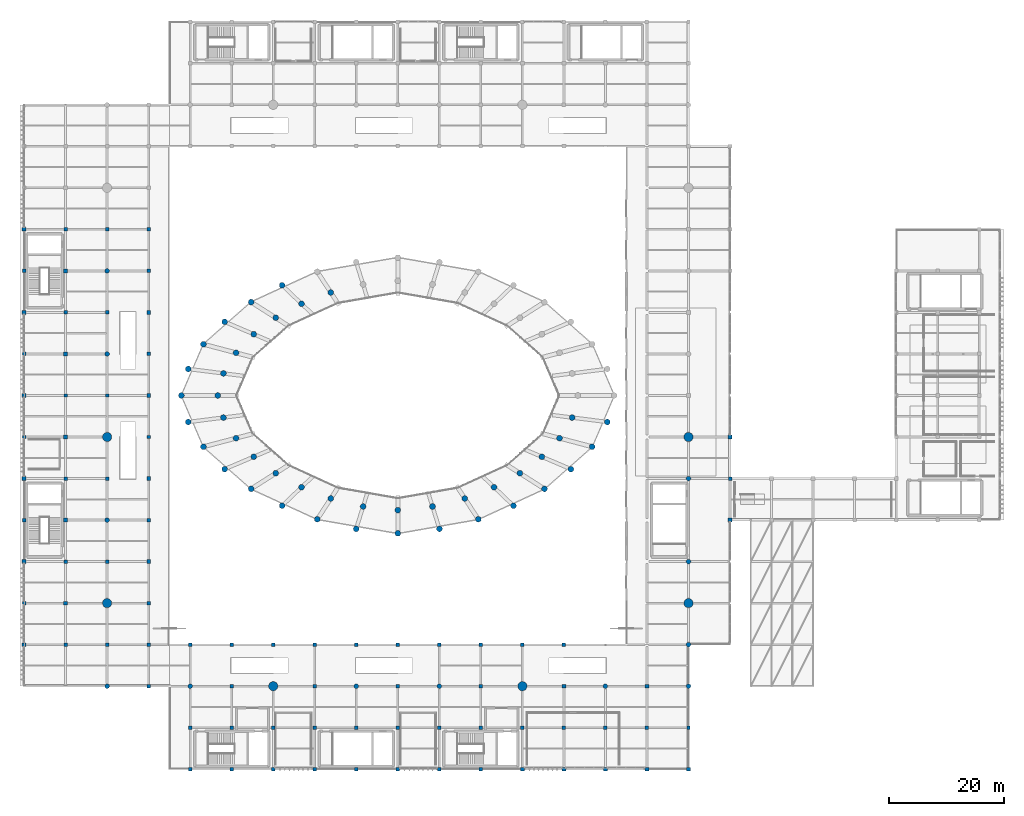
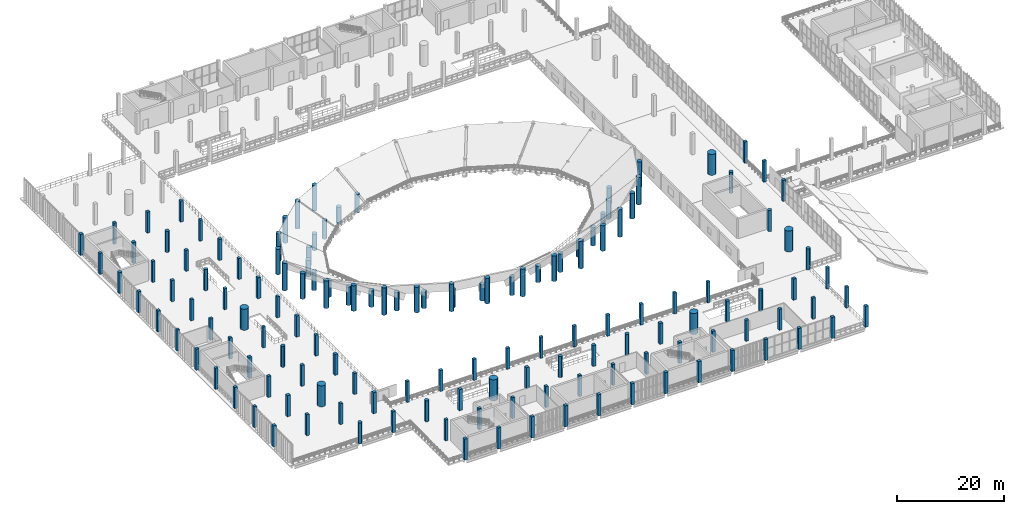
# One storey, part 1 of 105: 146 columns.
"""IFC4 building model written with IfcOpenShell, lengths in metres."""

import ifcopenshell
import ifcopenshell.guid

model = None  # the IFC model being written
_history = None  # IfcOwnerHistory: only IFC2X3 demands one
_inside = {}  # id of a spatial element -> (the spatial element, [elements in it])
_under = {}  # id of a project, library or spatial element -> (it, [spatial elements below it])
_declared = {}  # id of a project -> (the project, [libraries it declares])
_typed = {}  # id of a type object -> (the type object, [elements of that type])
_made_of = {}  # id of a material, layer set ... -> (it, [elements and type objects made of it])


def new_model(schema):
    """Start an empty IFC model of exactly this schema.

    Asked for "IFC4X3", IfcOpenShell would pick the latest addendum, in which some entities
    have other attributes; the version numbers below select the first issue.
    IFC2X3 requires an IfcOwnerHistory on every rooted entity: one is made here for all.
    """
    global model, _history
    if schema == "IFC4X3":
        model = ifcopenshell.file(schema_version=(4, 3, 0, 0))
    else:
        model = ifcopenshell.file(schema=schema)
    _inside.clear()
    _under.clear()
    _declared.clear()
    _typed.clear()
    _made_of.clear()
    _history = None
    if model.schema == "IFC2X3":
        org = make("IfcOrganization", Name="unknown")
        user = make(
            "IfcPersonAndOrganization",
            ThePerson=make("IfcPerson", FamilyName="unknown"),
            TheOrganization=org,
        )
        app = make(
            "IfcApplication",
            ApplicationDeveloper=org,
            Version="unknown",
            ApplicationFullName="unknown",
            ApplicationIdentifier="unknown",
        )
        _history = make(
            "IfcOwnerHistory",
            OwningUser=user,
            OwningApplication=app,
            ChangeAction="ADDED",
            CreationDate=0,
        )
    return model


def make(cls, **values):
    """One entity of the class cls with the attributes given. An attribute that is None is left unset."""
    return model.create_entity(
        cls, **{name: value for name, value in values.items() if value is not None}
    )


def rooted(cls, **values):
    """An entity with a GlobalId (a new one), such as an element, a storey or a relation."""
    return make(cls, GlobalId=ifcopenshell.guid.new(), OwnerHistory=_history, **values)


def si_unit(unit_type, name, prefix=None):
    """IfcSIUnit, for example si_unit("LENGTHUNIT", "METRE", prefix="MILLI")."""
    return make("IfcSIUnit", UnitType=unit_type, Prefix=prefix, Name=name)


def assignment(units):
    """IfcUnitAssignment: the units of a project."""
    return None if units is None else make("IfcUnitAssignment", Units=units)


def point(xyz):
    """IfcCartesianPoint."""
    return None if xyz is None else make("IfcCartesianPoint", Coordinates=xyz)


def direction(xyz):
    """IfcDirection."""
    return None if xyz is None else make("IfcDirection", DirectionRatios=xyz)


def frame(location, z_axis=None, x_axis=None):
    """IfcAxis2Placement3D, a coordinate frame: its origin and axes. An axis left out is left unset."""
    return make(
        "IfcAxis2Placement3D",
        Location=point(location),
        Axis=direction(z_axis),
        RefDirection=direction(x_axis),
    )


def frame_2d(location, x_axis=None):
    """IfcAxis2Placement2D, a coordinate frame in the plane: its origin and x axis."""
    return make(
        "IfcAxis2Placement2D", Location=point(location), RefDirection=direction(x_axis)
    )


def origin():
    """The frame at (0, 0, 0) with its axes left unset."""
    return frame((0.0, 0.0, 0.0))


def origin_2d():
    """The frame at (0, 0) in the plane with its x axis left unset."""
    return frame_2d((0.0, 0.0))


def place(relative_to, where):
    """IfcLocalPlacement: puts the frame where relative to a parent placement (None: the world)."""
    return make(
        "IfcLocalPlacement", PlacementRelTo=relative_to, RelativePlacement=where
    )


def context(
    kind, dimensions, precision=None, world=None, true_north=None, identifier=None
):
    """IfcGeometricRepresentationContext, for example the 3D "Model" context."""
    return make(
        "IfcGeometricRepresentationContext",
        ContextIdentifier=identifier,
        ContextType=kind,
        CoordinateSpaceDimension=dimensions,
        Precision=precision,
        WorldCoordinateSystem=world,
        TrueNorth=true_north,
    )


def subcontext(parent, identifier, kind, view, scale=None):
    """IfcGeometricRepresentationSubContext, for example "Body" below "Model"."""
    return make(
        "IfcGeometricRepresentationSubContext",
        ContextIdentifier=identifier,
        ContextType=kind,
        ParentContext=parent,
        TargetScale=scale,
        TargetView=view,
    )


def project(units=None, contexts=None):
    """IfcProject with its units and contexts."""
    return rooted(
        "IfcProject",
        Name="project",
        RepresentationContexts=contexts,
        UnitsInContext=assignment(units),
    )


def spatial(cls, under=None, at=None, **own):
    """A site, building, storey or space (cls), placed at a placement, below another one or the project."""
    s = rooted(cls, ObjectPlacement=at, **own)
    if under is not None:
        _under.setdefault(under.id(), (under, []))[1].append(s)
    return s


def profile(cls, at=None, kind="AREA", **sizes):
    """A parametric profile (cls). Its sizes go by their IFC names, for example OverallWidth=200.0."""
    return make(cls, ProfileType=kind, Position=at, **sizes)


def rectangle(**sizes):
    """IfcRectangleProfileDef."""
    return profile("IfcRectangleProfileDef", **sizes)


def circle(**sizes):
    """IfcCircleProfileDef."""
    return profile("IfcCircleProfileDef", **sizes)


def extrude(swept, where, along, depth):
    """IfcExtrudedAreaSolid: the profile swept, set in the frame where, extruded along a direction by depth."""
    return make(
        "IfcExtrudedAreaSolid",
        SweptArea=swept,
        Position=where,
        ExtrudedDirection=direction(along),
        Depth=depth,
    )


def shape(context_of_items, identifier, shape_type, items):
    """IfcShapeRepresentation: the items that make up one representation, for example the "Body"."""
    return make(
        "IfcShapeRepresentation",
        ContextOfItems=context_of_items,
        RepresentationIdentifier=identifier,
        RepresentationType=shape_type,
        Items=items,
    )


def material(Name=None, Category=None):
    """IfcMaterial."""
    return make("IfcMaterial", Name=Name, Category=Category)


def material_profile(
    of_material, cross_section, Name=None, Category=None, Priority=None
):
    """IfcMaterialProfile: a cross section and its material."""
    return make(
        "IfcMaterialProfile",
        Name=Name,
        Material=of_material,
        Profile=cross_section,
        Priority=Priority,
        Category=Category,
    )


def profile_set(profiles, Name=None, composite=None):
    """IfcMaterialProfileSet."""
    return make(
        "IfcMaterialProfileSet",
        Name=Name,
        MaterialProfiles=profiles,
        CompositeProfile=composite,
    )


def made_of(thing, what):
    """Note that an element or type object is made of a material, layer set ...; save() writes the relation."""
    if what is not None:
        _made_of.setdefault(what.id(), (what, []))[1].append(thing)
    return thing


def type_object(cls, material=None, **own):
    """A type object (cls), such as IfcWallType, which elements share."""
    return made_of(rooted(cls, **own), material)


def element(
    cls,
    number,
    at=None,
    inside=None,
    cuts=None,
    type_object=None,
    material=None,
    context=None,
    identifier="Body",
    shape_type=None,
    held_by="IfcProductDefinitionShape",
    body=None,
    shapes=None,
    **own,
):
    """One element of the class cls, such as IfcWall. Its Tag is "e" and its number.

    at: its placement. inside: the storey or other place that contains it. cuts: it is an
    opening in that element (IfcRelVoidsElement). A single representation is given by context,
    identifier, shape_type and body (its items); several are given by shapes. held_by: the class
    of the entity that holds the representations. save() writes the other relations.
    """
    e = rooted(cls, Tag="e%d" % number, ObjectPlacement=at, **own)
    if body is not None:
        shapes = [shape(context, identifier, shape_type, body)]
    if shapes is not None:
        e.Representation = make(held_by, Representations=shapes)
    if inside is not None:
        _inside.setdefault(inside.id(), (inside, []))[1].append(e)
    if cuts is not None:
        rooted(
            "IfcRelVoidsElement", RelatingBuildingElement=cuts, RelatedOpeningElement=e
        )
    if type_object is not None:
        _typed.setdefault(type_object.id(), (type_object, []))[1].append(e)
    return made_of(e, material)


def aggregate(whole, parts):
    """IfcRelAggregates: a whole, such as a stair, and the parts it consists of."""
    return rooted("IfcRelAggregates", RelatingObject=whole, RelatedObjects=parts)


def save(model, path):
    """Write the relations noted so far, then the file.

    IfcRelAggregates (storeys below a building ...), IfcRelContainedInSpatialStructure (elements
    in a storey), IfcRelDefinesByType, IfcRelAssociatesMaterial and IfcRelDeclares: one each for
    every whole, place, type object, material and project.
    """
    for whole, parts in _under.values():
        aggregate(whole, parts)
    for where, things in _inside.values():
        rooted(
            "IfcRelContainedInSpatialStructure",
            RelatedElements=things,
            RelatingStructure=where,
        )
    for kind, things in _typed.values():
        rooted("IfcRelDefinesByType", RelatedObjects=things, RelatingType=kind)
    for what, things in _made_of.values():
        rooted("IfcRelAssociatesMaterial", RelatedObjects=things, RelatingMaterial=what)
    for by, libraries in _declared.values():
        rooted("IfcRelDeclares", RelatingContext=by, RelatedDefinitions=libraries)
    model.write(path)


model = new_model("IFC4")

# Units and contexts
model_context = context("Model", 3, precision=1e-05, world=origin(), true_north=direction((0.0, 1.0)))
body_context = subcontext(model_context, "Body", "Model", "MODEL_VIEW")
ifc_project = project(units=[si_unit("LENGTHUNIT", "METRE"), si_unit("AREAUNIT", "SQUARE_METRE"), si_unit("VOLUMEUNIT", "CUBIC_METRE"), si_unit("PLANEANGLEUNIT", "RADIAN"), si_unit("MASSUNIT", "GRAM", prefix="KILO")], contexts=[model_context])

# Site, building, storey
site_placement = place(None, origin())
site = spatial("IfcSite", under=ifc_project, at=site_placement, CompositionType="ELEMENT")
building_placement = place(site_placement, origin())
building = spatial("IfcBuilding", under=site, at=building_placement, Name="Qandorah Velis Arena", CompositionType="ELEMENT")
storey_placement = place(building_placement, frame((0.0, 0.0, 13.800048828125)))
storey = spatial("IfcBuildingStorey", under=building, at=storey_placement, Name="L03", CompositionType="ELEMENT", Elevation=13.800048828125)

# Columns
ifc_material_1 = material(Name="Concrete C50/60", Category="concrete")
ifc_material_profile_1 = material_profile(ifc_material_1, circle(Radius=0.800048828125, at=origin_2d()), Name="MC D1600")
ifc_profile_set_1 = profile_set([ifc_material_profile_1], Name="Concrete C50/60")
column_type_1 = type_object("IfcColumnType", Name="STR-COL-MC1600", PredefinedType="COLUMN", material=ifc_profile_set_1)
for number, where, z_axis, x_axis, name in (
    (1, (14.39990234375, 28.800048828125, 0.0), (0.0, 0.0, 1.0), (1.0, 0.0, 0.0), "Mega column MC1 (L03)"),
    (2, (14.39990234375, 57.60009765625, 0.0), (0.0, 0.0, 1.0), (1.0, 0.0, 0.0), "Mega column MC2 (L03)"),
    (3, (43.199951171875, 14.39990234375, 0.0), (0.0, 0.0, 1.0), (1.0, 0.0, 0.0), "Mega column MC4 (L03)"),
    (4, (86.39990234375, 14.39990234375, 0.0), (0.0, 0.0, 1.0), (1.0, 0.0, 0.0), "Mega column MC5 (L03)"),
    (5, (115.199951171875, 28.800048828125, 0.0), (0.0, 0.0, 1.0), (1.0, 0.0, 0.0), "Mega column MC8 (L03)"),
    (6, (115.199951171875, 57.60009765625, 0.0), (0.0, 0.0, 1.0), (1.0, 0.0, 0.0), "Mega column MC9 (L03)"),
):
    element("IfcColumn", number, at=place(storey_placement, frame(where, z_axis=z_axis, x_axis=x_axis)), inside=storey, type_object=column_type_1, Name=name, PredefinedType="COLUMN", context=body_context, shape_type="SweptSolid", body=[
        extrude(circle(Radius=0.800048828125, at=origin_2d()), origin(), (0.0, 0.0, 1.0), 4.800048828125),
    ])
ifc_material_2 = material(Name="Concrete C40/50", Category="concrete")
ifc_material_profile_2 = material_profile(ifc_material_2, rectangle(XDim=0.60009765625, YDim=0.60009765625, at=origin_2d()), Name="RC COL 600x600")
ifc_profile_set_2 = profile_set([ifc_material_profile_2], Name="Concrete C40/50")
column_type_2 = type_object("IfcColumnType", Name="STR-COL-RC600", PredefinedType="COLUMN", material=ifc_profile_set_2)
for number, where, z_axis, x_axis, name in (
    (7, (0.0, 28.800048828125, 0.0), (0.0, 0.0, 1.0), (1.0, 0.0, 0.0), "Structural column L03-001"),
    (8, (0.0, 43.199951171875, 0.0), (0.0, 0.0, 1.0), (1.0, 0.0, 0.0), "Structural column L03-003"),
    (9, (0.0, 57.60009765625, 0.0), (0.0, 0.0, 1.0), (1.0, 0.0, 0.0), "Structural column L03-005"),
    (10, (0.0, 72.0, 0.0), (0.0, 0.0, 1.0), (1.0, 0.0, 0.0), "Structural column L03-007"),
    (11, (0.0, 86.39990234375, 0.0), (0.0, 0.0, 1.0), (1.0, 0.0, 0.0), "Structural column L03-009"),
    (12, (7.199951171875, 21.60009765625, 0.0), (0.0, 0.0, 1.0), (1.0, 0.0, 0.0), "Structural column L03-013"),
    (13, (7.199951171875, 36.0, 0.0), (0.0, 0.0, 1.0), (1.0, 0.0, 0.0), "Structural column L03-015"),
    (14, (7.199951171875, 50.39990234375, 0.0), (0.0, 0.0, 1.0), (1.0, 0.0, 0.0), "Structural column L03-017"),
    (15, (7.199951171875, 64.800048828125, 0.0), (0.0, 0.0, 1.0), (1.0, 0.0, 0.0), "Structural column L03-019"),
    (16, (7.199951171875, 79.199951171875, 0.0), (0.0, 0.0, 1.0), (1.0, 0.0, 0.0), "Structural column L03-021"),
    (17, (7.199951171875, 93.60009765625, 0.0), (0.0, 0.0, 1.0), (1.0, 0.0, 0.0), "Structural column L03-023"),
    (18, (14.39990234375, 21.60009765625, 0.0), (0.0, 0.0, 1.0), (1.0, 0.0, 0.0), "Structural column L03-027"),
    (19, (14.39990234375, 36.0, 0.0), (0.0, 0.0, 1.0), (1.0, 0.0, 0.0), "Structural column L03-029"),
    (20, (14.39990234375, 50.39990234375, 0.0), (0.0, 0.0, 1.0), (1.0, 0.0, 0.0), "Structural column L03-031"),
    (21, (14.39990234375, 64.800048828125, 0.0), (0.0, 0.0, 1.0), (1.0, 0.0, 0.0), "Structural column L03-033"),
    (22, (14.39990234375, 79.199951171875, 0.0), (0.0, 0.0, 1.0), (1.0, 0.0, 0.0), "Structural column L03-035"),
    (23, (14.39990234375, 93.60009765625, 0.0), (0.0, 0.0, 1.0), (1.0, 0.0, 0.0), "Structural column L03-037"),
    (24, (21.60009765625, 14.39990234375, 0.0), (0.0, 0.0, 1.0), (1.0, 0.0, 0.0), "Structural column L03-041"),
    (25, (21.60009765625, 28.800048828125, 0.0), (0.0, 0.0, 1.0), (1.0, 0.0, 0.0), "Structural column L03-043"),
    (26, (21.60009765625, 43.199951171875, 0.0), (0.0, 0.0, 1.0), (1.0, 0.0, 0.0), "Structural column L03-045"),
    (27, (21.60009765625, 57.60009765625, 0.0), (0.0, 0.0, 1.0), (1.0, 0.0, 0.0), "Structural column L03-047"),
    (28, (21.60009765625, 72.0, 0.0), (0.0, 0.0, 1.0), (1.0, 0.0, 0.0), "Structural column L03-049"),
    (29, (21.60009765625, 86.39990234375, 0.0), (0.0, 0.0, 1.0), (1.0, 0.0, 0.0), "Structural column L03-051"),
    (30, (28.800048828125, 7.199951171875, 0.0), (0.0, 0.0, 1.0), (1.0, 0.0, 0.0), "Structural column L03-057"),
    (31, (28.800048828125, 21.60009765625, 0.0), (0.0, 0.0, 1.0), (1.0, 0.0, 0.0), "Structural column L03-059"),
    (32, (36.0, 7.199951171875, 0.0), (0.0, 0.0, 1.0), (1.0, 0.0, 0.0), "Structural column L03-065"),
    (33, (36.0, 21.60009765625, 0.0), (0.0, 0.0, 1.0), (1.0, 0.0, 0.0), "Structural column L03-067"),
    (34, (43.199951171875, 7.199951171875, 0.0), (0.0, 0.0, 1.0), (1.0, 0.0, 0.0), "Structural column L03-073"),
    (35, (43.199951171875, 21.60009765625, 0.0), (0.0, 0.0, 1.0), (1.0, 0.0, 0.0), "Structural column L03-075"),
    (36, (50.39990234375, 7.199951171875, 0.0), (0.0, 0.0, 1.0), (1.0, 0.0, 0.0), "Structural column L03-081"),
    (37, (50.39990234375, 21.60009765625, 0.0), (0.0, 0.0, 1.0), (1.0, 0.0, 0.0), "Structural column L03-083"),
    (38, (57.60009765625, 7.199951171875, 0.0), (0.0, 0.0, 1.0), (1.0, 0.0, 0.0), "Structural column L03-089"),
    (39, (57.60009765625, 21.60009765625, 0.0), (0.0, 0.0, 1.0), (1.0, 0.0, 0.0), "Structural column L03-091"),
    (40, (64.800048828125, 7.199951171875, 0.0), (0.0, 0.0, 1.0), (1.0, 0.0, 0.0), "Structural column L03-097"),
    (41, (64.800048828125, 21.60009765625, 0.0), (0.0, 0.0, 1.0), (1.0, 0.0, 0.0), "Structural column L03-099"),
    (42, (72.0, 7.199951171875, 0.0), (0.0, 0.0, 1.0), (1.0, 0.0, 0.0), "Structural column L03-105"),
    (43, (72.0, 21.60009765625, 0.0), (0.0, 0.0, 1.0), (1.0, 0.0, 0.0), "Structural column L03-107"),
    (44, (79.199951171875, 7.199951171875, 0.0), (0.0, 0.0, 1.0), (1.0, 0.0, 0.0), "Structural column L03-113"),
    (45, (79.199951171875, 21.60009765625, 0.0), (0.0, 0.0, 1.0), (1.0, 0.0, 0.0), "Structural column L03-115"),
    (46, (86.39990234375, 7.199951171875, 0.0), (0.0, 0.0, 1.0), (1.0, 0.0, 0.0), "Structural column L03-121"),
    (47, (86.39990234375, 21.60009765625, 0.0), (0.0, 0.0, 1.0), (1.0, 0.0, 0.0), "Structural column L03-123"),
    (48, (93.60009765625, 7.199951171875, 0.0), (0.0, 0.0, 1.0), (1.0, 0.0, 0.0), "Structural column L03-129"),
    (49, (93.60009765625, 21.60009765625, 0.0), (0.0, 0.0, 1.0), (1.0, 0.0, 0.0), "Structural column L03-131"),
    (50, (100.800048828125, 7.199951171875, 0.0), (0.0, 0.0, 1.0), (1.0, 0.0, 0.0), "Structural column L03-137"),
    (51, (108.0, 7.199951171875, 0.0), (0.0, 0.0, 1.0), (1.0, 0.0, 0.0), "Structural column L03-143"),
    (52, (115.199951171875, 7.199951171875, 0.0), (0.0, 0.0, 1.0), (1.0, 0.0, 0.0), "Structural column L03-149"),
    (53, (122.39990234375, 50.39990234375, 0.0), (0.0, 0.0, 1.0), (1.0, 0.0, 0.0), "Structural column L03-167"),
):
    element("IfcColumn", number, at=place(storey_placement, frame(where, z_axis=z_axis, x_axis=x_axis)), inside=storey, type_object=column_type_2, Name=name, PredefinedType="COLUMN", context=body_context, shape_type="SweptSolid", body=[
        extrude(rectangle(XDim=0.60009765625, YDim=0.60009765625, at=origin_2d()), origin(), (0.0, 0.0, 1.0), 4.800048828125),
    ])
ifc_material_profile_3 = material_profile(ifc_material_2, rectangle(XDim=0.64990234375, YDim=0.64990234375, at=origin_2d()), Name="RC COL 650x650")
ifc_profile_set_3 = profile_set([ifc_material_profile_3], Name="Concrete C40/50")
column_type_3 = type_object("IfcColumnType", Name="STR-COL-RC650", PredefinedType="COLUMN", material=ifc_profile_set_3)
for number, where, z_axis, x_axis, name in (
    (54, (0.0, 21.60009765625, 0.0), (0.0, 0.0, 1.0), (1.0, 0.0, 0.0), "Structural column L03-000"),
    (55, (0.0, 36.0, 0.0), (0.0, 0.0, 1.0), (1.0, 0.0, 0.0), "Structural column L03-002"),
    (56, (0.0, 50.39990234375, 0.0), (0.0, 0.0, 1.0), (1.0, 0.0, 0.0), "Structural column L03-004"),
    (57, (0.0, 64.800048828125, 0.0), (0.0, 0.0, 1.0), (1.0, 0.0, 0.0), "Structural column L03-006"),
    (58, (0.0, 79.199951171875, 0.0), (0.0, 0.0, 1.0), (1.0, 0.0, 0.0), "Structural column L03-008"),
    (59, (0.0, 93.60009765625, 0.0), (0.0, 0.0, 1.0), (1.0, 0.0, 0.0), "Structural column L03-010"),
    (60, (7.199951171875, 28.800048828125, 0.0), (0.0, 0.0, 1.0), (1.0, 0.0, 0.0), "Structural column L03-014"),
    (61, (7.199951171875, 43.199951171875, 0.0), (0.0, 0.0, 1.0), (1.0, 0.0, 0.0), "Structural column L03-016"),
    (62, (7.199951171875, 57.60009765625, 0.0), (0.0, 0.0, 1.0), (1.0, 0.0, 0.0), "Structural column L03-018"),
    (63, (7.199951171875, 72.0, 0.0), (0.0, 0.0, 1.0), (1.0, 0.0, 0.0), "Structural column L03-020"),
    (64, (7.199951171875, 86.39990234375, 0.0), (0.0, 0.0, 1.0), (1.0, 0.0, 0.0), "Structural column L03-022"),
    (65, (21.60009765625, 21.60009765625, 0.0), (0.0, 0.0, 1.0), (1.0, 0.0, 0.0), "Structural column L03-042"),
    (66, (21.60009765625, 36.0, 0.0), (0.0, 0.0, 1.0), (1.0, 0.0, 0.0), "Structural column L03-044"),
    (67, (21.60009765625, 50.39990234375, 0.0), (0.0, 0.0, 1.0), (1.0, 0.0, 0.0), "Structural column L03-046"),
    (68, (21.60009765625, 64.800048828125, 0.0), (0.0, 0.0, 1.0), (1.0, 0.0, 0.0), "Structural column L03-048"),
    (69, (21.60009765625, 79.199951171875, 0.0), (0.0, 0.0, 1.0), (1.0, 0.0, 0.0), "Structural column L03-050"),
    (70, (21.60009765625, 93.60009765625, 0.0), (0.0, 0.0, 1.0), (1.0, 0.0, 0.0), "Structural column L03-052"),
    (71, (28.800048828125, 0.0, 0.0), (0.0, 0.0, 1.0), (1.0, 0.0, 0.0), "Structural column L03-056"),
    (72, (36.0, 0.0, 0.0), (0.0, 0.0, 1.0), (1.0, 0.0, 0.0), "Structural column L03-064"),
    (73, (36.0, 14.39990234375, 0.0), (0.0, 0.0, 1.0), (1.0, 0.0, 0.0), "Structural column L03-066"),
    (74, (43.199951171875, 0.0, 0.0), (0.0, 0.0, 1.0), (1.0, 0.0, 0.0), "Structural column L03-072"),
    (75, (50.39990234375, 0.0, 0.0), (0.0, 0.0, 1.0), (1.0, 0.0, 0.0), "Structural column L03-080"),
    (76, (50.39990234375, 14.39990234375, 0.0), (0.0, 0.0, 1.0), (1.0, 0.0, 0.0), "Structural column L03-082"),
    (77, (57.60009765625, 0.0, 0.0), (0.0, 0.0, 1.0), (1.0, 0.0, 0.0), "Structural column L03-088"),
    (78, (64.800048828125, 0.0, 0.0), (0.0, 0.0, 1.0), (1.0, 0.0, 0.0), "Structural column L03-096"),
    (79, (64.800048828125, 14.39990234375, 0.0), (0.0, 0.0, 1.0), (1.0, 0.0, 0.0), "Structural column L03-098"),
    (80, (72.0, 0.0, 0.0), (0.0, 0.0, 1.0), (1.0, 0.0, 0.0), "Structural column L03-104"),
    (81, (79.199951171875, 0.0, 0.0), (0.0, 0.0, 1.0), (1.0, 0.0, 0.0), "Structural column L03-112"),
    (82, (79.199951171875, 14.39990234375, 0.0), (0.0, 0.0, 1.0), (1.0, 0.0, 0.0), "Structural column L03-114"),
    (83, (86.39990234375, 0.0, 0.0), (0.0, 0.0, 1.0), (1.0, 0.0, 0.0), "Structural column L03-120"),
    (84, (93.60009765625, 0.0, 0.0), (0.0, 0.0, 1.0), (1.0, 0.0, 0.0), "Structural column L03-128"),
    (85, (93.60009765625, 14.39990234375, 0.0), (0.0, 0.0, 1.0), (1.0, 0.0, 0.0), "Structural column L03-130"),
    (86, (100.800048828125, 0.0, 0.0), (0.0, 0.0, 1.0), (1.0, 0.0, 0.0), "Structural column L03-136"),
    (87, (108.0, 0.0, 0.0), (0.0, 0.0, 1.0), (1.0, 0.0, 0.0), "Structural column L03-142"),
    (88, (108.0, 14.39990234375, 0.0), (0.0, 0.0, 1.0), (1.0, 0.0, 0.0), "Structural column L03-144"),
    (89, (115.199951171875, 0.0, 0.0), (0.0, 0.0, 1.0), (1.0, 0.0, 0.0), "Structural column L03-148"),
    (90, (122.39990234375, 43.199951171875, 0.0), (0.0, 0.0, 1.0), (1.0, 0.0, 0.0), "Structural column L03-166"),
    (91, (122.39990234375, 57.60009765625, 0.0), (0.0, 0.0, 1.0), (1.0, 0.0, 0.0), "Structural column L03-168"),
):
    element("IfcColumn", number, at=place(storey_placement, frame(where, z_axis=z_axis, x_axis=x_axis)), inside=storey, type_object=column_type_3, Name=name, PredefinedType="COLUMN", context=body_context, shape_type="SweptSolid", body=[
        extrude(rectangle(XDim=0.64990234375, YDim=0.64990234375, at=origin_2d()), origin(), (0.0, 0.0, 1.0), 4.800048828125),
    ])
ifc_material_profile_4 = material_profile(ifc_material_2, circle(Radius=0.5, at=origin_2d()), Name="RC D1000")
ifc_profile_set_4 = profile_set([ifc_material_profile_4], Name="Concrete C40/50")
column_type_4 = type_object("IfcColumnType", Name="STR-COL-RCD1000", PredefinedType="COLUMN", material=ifc_profile_set_4)
column_1_placement = place(storey_placement, frame((53.185546875, 82.654541015625, -2.255126953125), z_axis=(0.0, 0.0, 1.0), x_axis=(1.0, 0.0, 0.0)))
element("IfcColumn", 92, at=column_1_placement, inside=storey, type_object=column_type_4, Name="Upper raker fulcrum column L03 6.1", PredefinedType="COLUMN", context=body_context, shape_type="SweptSolid", body=[
    extrude(circle(Radius=0.5, at=origin_2d()), origin(), (0.0, 0.0, 1.0), 4.189697265625),
])
column_2_placement = place(storey_placement, frame((48.114013671875, 80.701171875, -1.804931640625), z_axis=(0.0, 0.0, 1.0), x_axis=(1.0, 0.0, 0.0)))
element("IfcColumn", 93, at=column_2_placement, inside=storey, type_object=column_type_4, Name="Upper raker fulcrum column L03 6.2", PredefinedType="COLUMN", context=body_context, shape_type="SweptSolid", body=[
    extrude(circle(Radius=0.5, at=origin_2d()), origin(), (0.0, 0.0, 1.0), 3.739501953125),
])
column_3_placement = place(storey_placement, frame((44.746826171875, 83.909912109375, 0.359619140625), z_axis=(0.0, 0.0, 1.0), x_axis=(1.0, 0.0, 0.0)))
element("IfcColumn", 94, at=column_3_placement, inside=storey, type_object=column_type_4, Name="Outer bowl raker column L03 6.2", PredefinedType="COLUMN", context=body_context, shape_type="SweptSolid", body=[
    extrude(circle(Radius=0.5, at=origin_2d()), origin(), (0.0, 0.0, 1.0), 5.810302734375),
])
column_4_placement = place(storey_placement, frame((43.64013671875, 78.2734375, -2.255126953125), z_axis=(0.0, 0.0, 1.0), x_axis=(1.0, 0.0, 0.0)))
element("IfcColumn", 95, at=column_4_placement, inside=storey, type_object=column_type_4, Name="Upper raker fulcrum column L03 7.1", PredefinedType="COLUMN", context=body_context, shape_type="SweptSolid", body=[
    extrude(circle(Radius=0.5, at=origin_2d()), origin(), (0.0, 0.0, 1.0), 4.189697265625),
])
column_5_placement = place(storey_placement, frame((39.370361328125, 80.992431640625, -0.09033203125), z_axis=(0.0, 0.0, 1.0), x_axis=(1.0, 0.0, 0.0)))
element("IfcColumn", 96, at=column_5_placement, inside=storey, type_object=column_type_4, Name="Outer bowl raker column L03 7.1", PredefinedType="COLUMN", context=body_context, shape_type="SweptSolid", body=[
    extrude(circle(Radius=0.5, at=origin_2d()), origin(), (0.0, 0.0, 1.0), 6.26025390625),
])
column_6_placement = place(storey_placement, frame((39.82763671875, 75.4248046875, -1.804931640625), z_axis=(0.0, 0.0, 1.0), x_axis=(1.0, 0.0, 0.0)))
element("IfcColumn", 97, at=column_6_placement, inside=storey, type_object=column_type_4, Name="Upper raker fulcrum column L03 7.2", PredefinedType="COLUMN", context=body_context, shape_type="SweptSolid", body=[
    extrude(circle(Radius=0.5, at=origin_2d()), origin(), (0.0, 0.0, 1.0), 3.739501953125),
])
column_7_placement = place(storey_placement, frame((34.788330078125, 77.56884765625, 0.359619140625), z_axis=(0.0, 0.0, 1.0), x_axis=(1.0, 0.0, 0.0)))
element("IfcColumn", 98, at=column_7_placement, inside=storey, type_object=column_type_4, Name="Outer bowl raker column L03 7.2", PredefinedType="COLUMN", context=body_context, shape_type="SweptSolid", body=[
    extrude(circle(Radius=0.5, at=origin_2d()), origin(), (0.0, 0.0, 1.0), 5.810302734375),
])
column_8_placement = place(storey_placement, frame((36.760009765625, 72.195556640625, -2.255126953125), z_axis=(0.0, 0.0, 1.0), x_axis=(1.0, 0.0, 0.0)))
element("IfcColumn", 99, at=column_8_placement, inside=storey, type_object=column_type_4, Name="Upper raker fulcrum column L03 8.1", PredefinedType="COLUMN", context=body_context, shape_type="SweptSolid", body=[
    extrude(circle(Radius=0.5, at=origin_2d()), origin(), (0.0, 0.0, 1.0), 4.189697265625),
])
column_9_placement = place(storey_placement, frame((31.101806640625, 73.68798828125, -0.09033203125), z_axis=(0.0, 0.0, 1.0), x_axis=(1.0, 0.0, 0.0)))
element("IfcColumn", 100, at=column_9_placement, inside=storey, type_object=column_type_4, Name="Outer bowl raker column L03 8.1", PredefinedType="COLUMN", context=body_context, shape_type="SweptSolid", body=[
    extrude(circle(Radius=0.5, at=origin_2d()), origin(), (0.0, 0.0, 1.0), 6.26025390625),
])
column_10_placement = place(storey_placement, frame((34.573974609375, 68.62841796875, -1.804931640625), z_axis=(0.0, 0.0, 1.0), x_axis=(1.0, 0.0, 0.0)))
element("IfcColumn", 101, at=column_10_placement, inside=storey, type_object=column_type_4, Name="Upper raker fulcrum column L03 8.2", PredefinedType="COLUMN", context=body_context, shape_type="SweptSolid", body=[
    extrude(circle(Radius=0.5, at=origin_2d()), origin(), (0.0, 0.0, 1.0), 3.739501953125),
])
column_11_placement = place(storey_placement, frame((28.474609375, 69.40087890625, 0.359619140625), z_axis=(0.0, 0.0, 1.0), x_axis=(1.0, 0.0, 0.0)))
element("IfcColumn", 102, at=column_11_placement, inside=storey, type_object=column_type_4, Name="Outer bowl raker column L03 8.2", PredefinedType="COLUMN", context=body_context, shape_type="SweptSolid", body=[
    extrude(circle(Radius=0.5, at=origin_2d()), origin(), (0.0, 0.0, 1.0), 5.810302734375),
])
column_12_placement = place(storey_placement, frame((33.580078125, 64.800048828125, -2.255126953125), z_axis=(0.0, 0.0, 1.0), x_axis=(1.0, 0.0, 0.0)))
element("IfcColumn", 103, at=column_12_placement, inside=storey, type_object=column_type_4, Name="Upper raker fulcrum column L03 9.1", PredefinedType="COLUMN", context=body_context, shape_type="SweptSolid", body=[
    extrude(circle(Radius=0.5, at=origin_2d()), origin(), (0.0, 0.0, 1.0), 4.189697265625),
])
column_13_placement = place(storey_placement, frame((27.280029296875, 64.800048828125, -0.09033203125), z_axis=(0.0, 0.0, 1.0), x_axis=(1.0, 0.0, 0.0)))
element("IfcColumn", 104, at=column_13_placement, inside=storey, type_object=column_type_4, Name="Outer bowl raker column L03 9.1", PredefinedType="COLUMN", context=body_context, shape_type="SweptSolid", body=[
    extrude(circle(Radius=0.5, at=origin_2d()), origin(), (0.0, 0.0, 1.0), 6.26025390625),
])
column_14_placement = place(storey_placement, frame((34.573974609375, 60.9716796875, -1.804931640625), z_axis=(0.0, 0.0, 1.0), x_axis=(1.0, 0.0, 0.0)))
element("IfcColumn", 105, at=column_14_placement, inside=storey, type_object=column_type_4, Name="Upper raker fulcrum column L03 9.2", PredefinedType="COLUMN", context=body_context, shape_type="SweptSolid", body=[
    extrude(circle(Radius=0.5, at=origin_2d()), origin(), (0.0, 0.0, 1.0), 3.739501953125),
])
column_15_placement = place(storey_placement, frame((28.474609375, 60.19921875, 0.359619140625), z_axis=(0.0, 0.0, 1.0), x_axis=(1.0, 0.0, 0.0)))
element("IfcColumn", 106, at=column_15_placement, inside=storey, type_object=column_type_4, Name="Outer bowl raker column L03 9.2", PredefinedType="COLUMN", context=body_context, shape_type="SweptSolid", body=[
    extrude(circle(Radius=0.5, at=origin_2d()), origin(), (0.0, 0.0, 1.0), 5.810302734375),
])
column_16_placement = place(storey_placement, frame((36.760009765625, 57.404296875, -2.255126953125), z_axis=(0.0, 0.0, 1.0), x_axis=(1.0, 0.0, 0.0)))
element("IfcColumn", 107, at=column_16_placement, inside=storey, type_object=column_type_4, Name="Upper raker fulcrum column L03 10.1", PredefinedType="COLUMN", context=body_context, shape_type="SweptSolid", body=[
    extrude(circle(Radius=0.5, at=origin_2d()), origin(), (0.0, 0.0, 1.0), 4.189697265625),
])
column_17_placement = place(storey_placement, frame((31.101806640625, 55.912109375, -0.09033203125), z_axis=(0.0, 0.0, 1.0), x_axis=(1.0, 0.0, 0.0)))
element("IfcColumn", 108, at=column_17_placement, inside=storey, type_object=column_type_4, Name="Outer bowl raker column L03 10.1", PredefinedType="COLUMN", context=body_context, shape_type="SweptSolid", body=[
    extrude(circle(Radius=0.5, at=origin_2d()), origin(), (0.0, 0.0, 1.0), 6.26025390625),
])
column_18_placement = place(storey_placement, frame((39.82763671875, 54.17529296875, -1.804931640625), z_axis=(0.0, 0.0, 1.0), x_axis=(1.0, 0.0, 0.0)))
element("IfcColumn", 109, at=column_18_placement, inside=storey, type_object=column_type_4, Name="Upper raker fulcrum column L03 10.2", PredefinedType="COLUMN", context=body_context, shape_type="SweptSolid", body=[
    extrude(circle(Radius=0.5, at=origin_2d()), origin(), (0.0, 0.0, 1.0), 3.739501953125),
])
column_19_placement = place(storey_placement, frame((34.788330078125, 52.03125, 0.359619140625), z_axis=(0.0, 0.0, 1.0), x_axis=(1.0, 0.0, 0.0)))
element("IfcColumn", 110, at=column_19_placement, inside=storey, type_object=column_type_4, Name="Outer bowl raker column L03 10.2", PredefinedType="COLUMN", context=body_context, shape_type="SweptSolid", body=[
    extrude(circle(Radius=0.5, at=origin_2d()), origin(), (0.0, 0.0, 1.0), 5.810302734375),
])
column_20_placement = place(storey_placement, frame((43.64013671875, 51.326416015625, -2.255126953125), z_axis=(0.0, 0.0, 1.0), x_axis=(1.0, 0.0, 0.0)))
element("IfcColumn", 111, at=column_20_placement, inside=storey, type_object=column_type_4, Name="Upper raker fulcrum column L03 11.1", PredefinedType="COLUMN", context=body_context, shape_type="SweptSolid", body=[
    extrude(circle(Radius=0.5, at=origin_2d()), origin(), (0.0, 0.0, 1.0), 4.189697265625),
])
column_21_placement = place(storey_placement, frame((39.370361328125, 48.607666015625, -0.09033203125), z_axis=(0.0, 0.0, 1.0), x_axis=(1.0, 0.0, 0.0)))
element("IfcColumn", 112, at=column_21_placement, inside=storey, type_object=column_type_4, Name="Outer bowl raker column L03 11.1", PredefinedType="COLUMN", context=body_context, shape_type="SweptSolid", body=[
    extrude(circle(Radius=0.5, at=origin_2d()), origin(), (0.0, 0.0, 1.0), 6.26025390625),
])
column_22_placement = place(storey_placement, frame((48.114013671875, 48.898681640625, -1.804931640625), z_axis=(0.0, 0.0, 1.0), x_axis=(1.0, 0.0, 0.0)))
element("IfcColumn", 113, at=column_22_placement, inside=storey, type_object=column_type_4, Name="Upper raker fulcrum column L03 11.2", PredefinedType="COLUMN", context=body_context, shape_type="SweptSolid", body=[
    extrude(circle(Radius=0.5, at=origin_2d()), origin(), (0.0, 0.0, 1.0), 3.739501953125),
])
column_23_placement = place(storey_placement, frame((44.746826171875, 45.690185546875, 0.359619140625), z_axis=(0.0, 0.0, 1.0), x_axis=(1.0, 0.0, 0.0)))
element("IfcColumn", 114, at=column_23_placement, inside=storey, type_object=column_type_4, Name="Outer bowl raker column L03 11.2", PredefinedType="COLUMN", context=body_context, shape_type="SweptSolid", body=[
    extrude(circle(Radius=0.5, at=origin_2d()), origin(), (0.0, 0.0, 1.0), 5.810302734375),
])
column_24_placement = place(storey_placement, frame((53.185546875, 46.945556640625, -2.255126953125), z_axis=(0.0, 0.0, 1.0), x_axis=(1.0, 0.0, 0.0)))
element("IfcColumn", 115, at=column_24_placement, inside=storey, type_object=column_type_4, Name="Upper raker fulcrum column L03 12.1", PredefinedType="COLUMN", context=body_context, shape_type="SweptSolid", body=[
    extrude(circle(Radius=0.5, at=origin_2d()), origin(), (0.0, 0.0, 1.0), 4.189697265625),
])
column_25_placement = place(storey_placement, frame((50.841796875, 43.342529296875, -0.09033203125), z_axis=(0.0, 0.0, 1.0), x_axis=(1.0, 0.0, 0.0)))
element("IfcColumn", 116, at=column_25_placement, inside=storey, type_object=column_type_4, Name="Outer bowl raker column L03 12.1", PredefinedType="COLUMN", context=body_context, shape_type="SweptSolid", body=[
    extrude(circle(Radius=0.5, at=origin_2d()), origin(), (0.0, 0.0, 1.0), 6.26025390625),
])
column_26_placement = place(storey_placement, frame((58.78759765625, 45.553466796875, -1.804931640625), z_axis=(0.0, 0.0, 1.0), x_axis=(1.0, 0.0, 0.0)))
element("IfcColumn", 117, at=column_26_placement, inside=storey, type_object=column_type_4, Name="Upper raker fulcrum column L03 12.2", PredefinedType="COLUMN", context=body_context, shape_type="SweptSolid", body=[
    extrude(circle(Radius=0.5, at=origin_2d()), origin(), (0.0, 0.0, 1.0), 3.739501953125),
])
column_27_placement = place(storey_placement, frame((57.574462890625, 41.669677734375, 0.359619140625), z_axis=(0.0, 0.0, 1.0), x_axis=(1.0, 0.0, 0.0)))
element("IfcColumn", 118, at=column_27_placement, inside=storey, type_object=column_type_4, Name="Outer bowl raker column L03 12.2", PredefinedType="COLUMN", context=body_context, shape_type="SweptSolid", body=[
    extrude(circle(Radius=0.5, at=origin_2d()), origin(), (0.0, 0.0, 1.0), 5.810302734375),
])
column_28_placement = place(storey_placement, frame((64.800048828125, 44.920654296875, -2.255126953125), z_axis=(0.0, 0.0, 1.0), x_axis=(1.0, 0.0, 0.0)))
element("IfcColumn", 119, at=column_28_placement, inside=storey, type_object=column_type_4, Name="Upper raker fulcrum column L03 13.1", PredefinedType="COLUMN", context=body_context, shape_type="SweptSolid", body=[
    extrude(circle(Radius=0.5, at=origin_2d()), origin(), (0.0, 0.0, 1.0), 4.189697265625),
])
column_29_placement = place(storey_placement, frame((64.800048828125, 40.9091796875, -0.09033203125), z_axis=(0.0, 0.0, 1.0), x_axis=(1.0, 0.0, 0.0)))
element("IfcColumn", 120, at=column_29_placement, inside=storey, type_object=column_type_4, Name="Outer bowl raker column L03 13.1", PredefinedType="COLUMN", context=body_context, shape_type="SweptSolid", body=[
    extrude(circle(Radius=0.5, at=origin_2d()), origin(), (0.0, 0.0, 1.0), 6.26025390625),
])
column_30_placement = place(storey_placement, frame((70.812255859375, 45.553466796875, -1.804931640625), z_axis=(0.0, 0.0, 1.0), x_axis=(1.0, 0.0, 0.0)))
element("IfcColumn", 121, at=column_30_placement, inside=storey, type_object=column_type_4, Name="Upper raker fulcrum column L03 13.2", PredefinedType="COLUMN", context=body_context, shape_type="SweptSolid", body=[
    extrude(circle(Radius=0.5, at=origin_2d()), origin(), (0.0, 0.0, 1.0), 3.739501953125),
])
column_31_placement = place(storey_placement, frame((72.025634765625, 41.669677734375, 0.359619140625), z_axis=(0.0, 0.0, 1.0), x_axis=(1.0, 0.0, 0.0)))
element("IfcColumn", 122, at=column_31_placement, inside=storey, type_object=column_type_4, Name="Outer bowl raker column L03 13.2", PredefinedType="COLUMN", context=body_context, shape_type="SweptSolid", body=[
    extrude(circle(Radius=0.5, at=origin_2d()), origin(), (0.0, 0.0, 1.0), 5.810302734375),
])
column_32_placement = place(storey_placement, frame((76.41455078125, 46.945556640625, -2.255126953125), z_axis=(0.0, 0.0, 1.0), x_axis=(1.0, 0.0, 0.0)))
element("IfcColumn", 123, at=column_32_placement, inside=storey, type_object=column_type_4, Name="Upper raker fulcrum column L03 14.1", PredefinedType="COLUMN", context=body_context, shape_type="SweptSolid", body=[
    extrude(circle(Radius=0.5, at=origin_2d()), origin(), (0.0, 0.0, 1.0), 4.189697265625),
])
column_33_placement = place(storey_placement, frame((78.75830078125, 43.342529296875, -0.09033203125), z_axis=(0.0, 0.0, 1.0), x_axis=(1.0, 0.0, 0.0)))
element("IfcColumn", 124, at=column_33_placement, inside=storey, type_object=column_type_4, Name="Outer bowl raker column L03 14.1", PredefinedType="COLUMN", context=body_context, shape_type="SweptSolid", body=[
    extrude(circle(Radius=0.5, at=origin_2d()), origin(), (0.0, 0.0, 1.0), 6.26025390625),
])
column_34_placement = place(storey_placement, frame((81.486083984375, 48.898681640625, -1.804931640625), z_axis=(0.0, 0.0, 1.0), x_axis=(1.0, 0.0, 0.0)))
element("IfcColumn", 125, at=column_34_placement, inside=storey, type_object=column_type_4, Name="Upper raker fulcrum column L03 14.2", PredefinedType="COLUMN", context=body_context, shape_type="SweptSolid", body=[
    extrude(circle(Radius=0.5, at=origin_2d()), origin(), (0.0, 0.0, 1.0), 3.739501953125),
])
column_35_placement = place(storey_placement, frame((84.85302734375, 45.690185546875, 0.359619140625), z_axis=(0.0, 0.0, 1.0), x_axis=(1.0, 0.0, 0.0)))
element("IfcColumn", 126, at=column_35_placement, inside=storey, type_object=column_type_4, Name="Outer bowl raker column L03 14.2", PredefinedType="COLUMN", context=body_context, shape_type="SweptSolid", body=[
    extrude(circle(Radius=0.5, at=origin_2d()), origin(), (0.0, 0.0, 1.0), 5.810302734375),
])
column_36_placement = place(storey_placement, frame((85.959716796875, 51.326416015625, -2.255126953125), z_axis=(0.0, 0.0, 1.0), x_axis=(1.0, 0.0, 0.0)))
element("IfcColumn", 127, at=column_36_placement, inside=storey, type_object=column_type_4, Name="Upper raker fulcrum column L03 15.1", PredefinedType="COLUMN", context=body_context, shape_type="SweptSolid", body=[
    extrude(circle(Radius=0.5, at=origin_2d()), origin(), (0.0, 0.0, 1.0), 4.189697265625),
])
column_37_placement = place(storey_placement, frame((90.229736328125, 48.607666015625, -0.09033203125), z_axis=(0.0, 0.0, 1.0), x_axis=(1.0, 0.0, 0.0)))
element("IfcColumn", 128, at=column_37_placement, inside=storey, type_object=column_type_4, Name="Outer bowl raker column L03 15.1", PredefinedType="COLUMN", context=body_context, shape_type="SweptSolid", body=[
    extrude(circle(Radius=0.5, at=origin_2d()), origin(), (0.0, 0.0, 1.0), 6.26025390625),
])
column_38_placement = place(storey_placement, frame((89.772216796875, 54.17529296875, -1.804931640625), z_axis=(0.0, 0.0, 1.0), x_axis=(1.0, 0.0, 0.0)))
element("IfcColumn", 129, at=column_38_placement, inside=storey, type_object=column_type_4, Name="Upper raker fulcrum column L03 15.2", PredefinedType="COLUMN", context=body_context, shape_type="SweptSolid", body=[
    extrude(circle(Radius=0.5, at=origin_2d()), origin(), (0.0, 0.0, 1.0), 3.739501953125),
])
column_39_placement = place(storey_placement, frame((94.8115234375, 52.03125, 0.359619140625), z_axis=(0.0, 0.0, 1.0), x_axis=(1.0, 0.0, 0.0)))
element("IfcColumn", 130, at=column_39_placement, inside=storey, type_object=column_type_4, Name="Outer bowl raker column L03 15.2", PredefinedType="COLUMN", context=body_context, shape_type="SweptSolid", body=[
    extrude(circle(Radius=0.5, at=origin_2d()), origin(), (0.0, 0.0, 1.0), 5.810302734375),
])
column_40_placement = place(storey_placement, frame((92.840087890625, 57.404296875, -2.255126953125), z_axis=(0.0, 0.0, 1.0), x_axis=(1.0, 0.0, 0.0)))
element("IfcColumn", 131, at=column_40_placement, inside=storey, type_object=column_type_4, Name="Upper raker fulcrum column L03 16.1", PredefinedType="COLUMN", context=body_context, shape_type="SweptSolid", body=[
    extrude(circle(Radius=0.5, at=origin_2d()), origin(), (0.0, 0.0, 1.0), 4.189697265625),
])
column_41_placement = place(storey_placement, frame((98.498291015625, 55.912109375, -0.09033203125), z_axis=(0.0, 0.0, 1.0), x_axis=(1.0, 0.0, 0.0)))
element("IfcColumn", 132, at=column_41_placement, inside=storey, type_object=column_type_4, Name="Outer bowl raker column L03 16.1", PredefinedType="COLUMN", context=body_context, shape_type="SweptSolid", body=[
    extrude(circle(Radius=0.5, at=origin_2d()), origin(), (0.0, 0.0, 1.0), 6.26025390625),
])
column_42_placement = place(storey_placement, frame((95.02587890625, 60.9716796875, -1.804931640625), z_axis=(0.0, 0.0, 1.0), x_axis=(1.0, 0.0, 0.0)))
element("IfcColumn", 133, at=column_42_placement, inside=storey, type_object=column_type_4, Name="Upper raker fulcrum column L03 16.2", PredefinedType="COLUMN", context=body_context, shape_type="SweptSolid", body=[
    extrude(circle(Radius=0.5, at=origin_2d()), origin(), (0.0, 0.0, 1.0), 3.739501953125),
])
column_43_placement = place(storey_placement, frame((101.12548828125, 60.19921875, 0.359619140625), z_axis=(0.0, 0.0, 1.0), x_axis=(1.0, 0.0, 0.0)))
element("IfcColumn", 134, at=column_43_placement, inside=storey, type_object=column_type_4, Name="Outer bowl raker column L03 16.2", PredefinedType="COLUMN", context=body_context, shape_type="SweptSolid", body=[
    extrude(circle(Radius=0.5, at=origin_2d()), origin(), (0.0, 0.0, 1.0), 5.810302734375),
])
ifc_material_profile_5 = material_profile(ifc_material_2, circle(Radius=0.39990234375, at=origin_2d()), Name="RC D800")
ifc_profile_set_5 = profile_set([ifc_material_profile_5], Name="Concrete C40/50")
column_type_5 = type_object("IfcColumnType", Name="STR-COL-RCD800", PredefinedType="COLUMN", material=ifc_profile_set_5)
for number, where, z_axis, x_axis, name in (
    (135, (14.39990234375, 14.39990234375, 0.0), (0.0, 0.0, 1.0), (1.0, 0.0, 0.0), "Bowl drum ring column L03-026"),
    (136, (14.39990234375, 43.199951171875, 0.0), (0.0, 0.0, 1.0), (1.0, 0.0, 0.0), "Bowl drum ring column L03-030"),
    (137, (14.39990234375, 72.0, 0.0), (0.0, 0.0, 1.0), (1.0, 0.0, 0.0), "Bowl drum ring column L03-034"),
    (138, (14.39990234375, 86.39990234375, 0.0), (0.0, 0.0, 1.0), (1.0, 0.0, 0.0), "Bowl drum ring column L03-036"),
    (139, (28.800048828125, 14.39990234375, 0.0), (0.0, 0.0, 1.0), (1.0, 0.0, 0.0), "Bowl drum ring column L03-058"),
    (140, (57.60009765625, 14.39990234375, 0.0), (0.0, 0.0, 1.0), (1.0, 0.0, 0.0), "Bowl drum ring column L03-090"),
    (141, (72.0, 14.39990234375, 0.0), (0.0, 0.0, 1.0), (1.0, 0.0, 0.0), "Bowl drum ring column L03-106"),
    (142, (100.800048828125, 14.39990234375, 0.0), (0.0, 0.0, 1.0), (1.0, 0.0, 0.0), "Bowl drum ring column L03-138"),
    (143, (115.199951171875, 14.39990234375, 0.0), (0.0, 0.0, 1.0), (1.0, 0.0, 0.0), "Bowl drum ring column L03-150"),
    (144, (115.199951171875, 21.60009765625, 0.0), (0.0, 0.0, 1.0), (1.0, 0.0, 0.0), "Bowl drum ring column L03-151"),
    (145, (115.199951171875, 36.0, 0.0), (0.0, 0.0, 1.0), (1.0, 0.0, 0.0), "Bowl drum ring column L03-153"),
    (146, (115.199951171875, 50.39990234375, 0.0), (0.0, 0.0, 1.0), (1.0, 0.0, 0.0), "Bowl drum ring column L03-154"),
):
    element("IfcColumn", number, at=place(storey_placement, frame(where, z_axis=z_axis, x_axis=x_axis)), inside=storey, type_object=column_type_5, Name=name, PredefinedType="COLUMN", context=body_context, shape_type="SweptSolid", body=[
        extrude(circle(Radius=0.39990234375, at=origin_2d()), origin(), (0.0, 0.0, 1.0), 4.800048828125),
    ])

save(model, "model.ifc")
